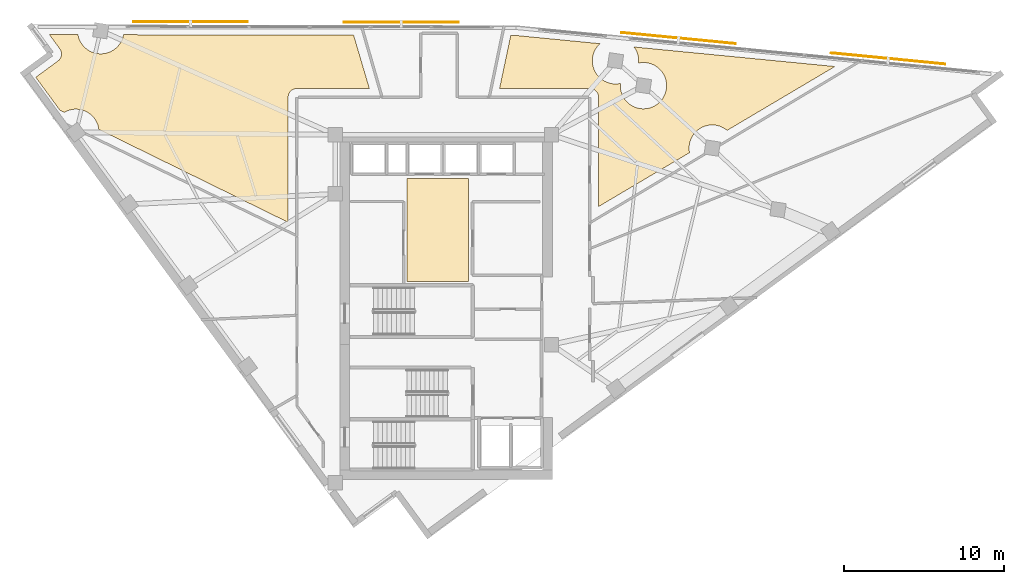
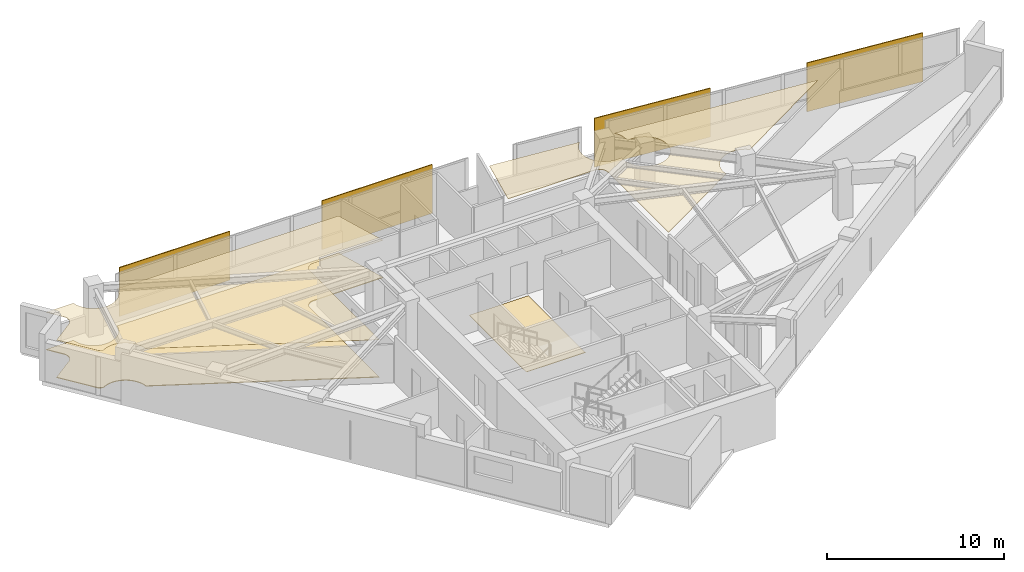
# One storey, part 13 of 13: 4 coverings, 4 shading devices.
"""IFC4 building model written with IfcOpenShell, lengths in metres."""

from ifc_helpers import new_model, si_unit, direction, frame, origin, origin_2d, place, context, subcontext, project, spatial, polyline, rectangle, outline, extrude, material, layer, layer_set, type_object, element, save


model = new_model("IFC4")

# Units and contexts
model_context = context("Model", 3, precision=1e-05, world=origin(), true_north=direction((0.0, 1.0)))
body_context = subcontext(model_context, "Body", "Model", "MODEL_VIEW")
ifc_project = project(units=[si_unit("LENGTHUNIT", "METRE"), si_unit("AREAUNIT", "SQUARE_METRE"), si_unit("VOLUMEUNIT", "CUBIC_METRE"), si_unit("PLANEANGLEUNIT", "RADIAN"), si_unit("MASSUNIT", "GRAM", prefix="KILO")], contexts=[model_context])

# Site, building, storey
site_placement = place(None, origin())
site = spatial("IfcSite", under=ifc_project, at=site_placement, CompositionType="ELEMENT")
building_placement = place(site_placement, origin())
building = spatial("IfcBuilding", under=site, at=building_placement, Name="Narakoshi Arena Tower", CompositionType="ELEMENT")
storey_placement = place(building_placement, frame((0.0, 0.0, 253.699951171875)))
storey = spatial("IfcBuildingStorey", under=building, at=storey_placement, Name="L69", CompositionType="ELEMENT", Elevation=253.699951171875)

# Coverings
ifc_material_1 = material(Name="Acoustic mineral-fibre ceiling tile")
ifc_layer_1 = layer(ifc_material_1, 0.02001953125)
ifc_layer_set_1 = layer_set([ifc_layer_1], Name="Acoustic mineral-fibre ceiling tile")
covering_type_1 = type_object("IfcCoveringType", Name="COV-CLG-AC20", PredefinedType="CEILING", material=ifc_layer_set_1)
covering_1_placement = place(storey_placement, frame((0.0, 0.0, 2.590087890625)))
element("IfcCovering", 1, at=covering_1_placement, inside=storey, type_object=covering_type_1, Name="L69 Suspended Acoustic Ceiling 1", PredefinedType="CEILING", context=body_context, shape_type="SweptSolid", body=[
    extrude(outline(polyline([(55.8818359375, 62.773193359375), (55.88720703125, 62.73779296875), (55.921630859375, 62.599609375), (55.969482421875, 62.4658203125), (56.030517578125, 62.337158203125), (56.103515625, 62.215087890625), (56.188232421875, 62.1005859375), (56.283935546875, 61.995361328125), (56.389404296875, 61.899658203125), (56.503662109375, 61.81494140625), (56.625732421875, 61.74169921875), (56.75439453125, 61.680908203125), (56.88818359375, 61.633056640625), (57.0263671875, 61.598388671875), (57.1669921875, 61.57763671875), (57.30908203125, 61.570556640625), (57.451416015625, 61.57763671875), (57.592041015625, 61.598388671875), (57.72998046875, 61.633056640625), (57.864013671875, 61.680908203125), (57.99267578125, 61.74169921875), (58.11474609375, 61.81494140625), (58.22900390625, 61.899658203125), (58.33447265625, 61.995361328125), (58.43017578125, 62.1005859375), (58.514892578125, 62.215087890625), (58.587890625, 62.337158203125), (58.648681640625, 62.4658203125), (58.69677734375, 62.599609375), (58.731201171875, 62.73779296875), (58.73583984375, 62.76806640625), (73.152587890625, 62.74169921875), (74.139404296875, 59.39990234375), (69.60009765625, 59.39990234375), (69.546142578125, 59.3974609375), (69.49267578125, 59.389404296875), (69.440185546875, 59.376220703125), (69.389404296875, 59.358154296875), (69.3408203125, 59.335205078125), (69.29443359375, 59.307373046875), (69.251220703125, 59.275146484375), (69.211181640625, 59.239013671875), (69.1748046875, 59.198974609375), (69.142578125, 59.155517578125), (69.114990234375, 59.109375), (69.091796875, 59.060546875), (69.07373046875, 59.009765625), (69.060546875, 58.957275390625), (69.052490234375, 58.90380859375), (69.050048828125, 58.85009765625), (69.050048828125, 51.01318359375), (57.1904296875, 56.8359375), (57.17529296875, 56.937255859375), (57.140869140625, 57.0751953125), (57.093017578125, 57.209228515625), (57.031982421875, 57.337890625), (56.958984375, 57.4599609375), (56.874267578125, 57.57421875), (56.778564453125, 57.6796875), (56.673095703125, 57.775390625), (56.558837890625, 57.860107421875), (56.436767578125, 57.93310546875), (56.30810546875, 57.993896484375), (56.17431640625, 58.0419921875), (56.0361328125, 58.076416015625), (55.8955078125, 58.097412109375), (55.75341796875, 58.1044921875), (55.611083984375, 58.097412109375), (55.470458984375, 58.076416015625), (55.33251953125, 58.0419921875), (55.198486328125, 57.993896484375), (55.06982421875, 57.93310546875), (55.018310546875, 57.90234375), (54.75634765625, 58.031005859375), (53.23779296875, 60.102294921875), (54.62353515625, 61.118408203125), (54.66552734375, 61.152587890625), (54.703857421875, 61.1904296875), (54.73828125, 61.23193359375), (54.7685546875, 61.276611328125), (54.794189453125, 61.32421875), (54.815185546875, 61.373779296875), (54.831298828125, 61.425537109375), (54.842041015625, 61.478271484375), (54.84765625, 61.531982421875), (54.847900390625, 61.5859375), (54.843017578125, 61.6396484375), (54.83251953125, 61.692626953125), (54.8173828125, 61.744384765625), (54.796875, 61.79443359375), (54.771728515625, 61.84228515625), (54.741943359375, 61.88720703125), (54.08984375, 62.7763671875), (55.8818359375, 62.773193359375)])), origin(), (0.0, 0.0, 1.0), 0.02001953125),
])
ifc_material_2 = material(Name="Slatted oak acoustic timber baffle", Category="wood")
ifc_layer_2 = layer(ifc_material_2, 0.034912109375)
ifc_layer_set_2 = layer_set([ifc_layer_2], Name="Slatted oak acoustic timber baffle")
covering_type_2 = type_object("IfcCoveringType", Name="COV-CLG-WD35", PredefinedType="CEILING", material=ifc_layer_set_2)
covering_2_placement = place(storey_placement, frame((0.0, 0.0, 2.574951171875)))
element("IfcCovering", 2, at=covering_2_placement, inside=storey, type_object=covering_type_2, Name="L69 Suspended Acoustic Ceiling 2", PredefinedType="CEILING", context=body_context, shape_type="SweptSolid", body=[
    extrude(outline(polyline([(88.590087890625, 62.208740234375), (88.536376953125, 62.159912109375), (88.440673828125, 62.0546875), (88.35595703125, 61.940185546875), (88.28271484375, 61.818115234375), (88.221923828125, 61.689697265625), (88.174072265625, 61.5556640625), (88.139404296875, 61.41748046875), (88.11865234375, 61.27685546875), (88.111572265625, 61.134765625), (88.11865234375, 60.99267578125), (88.139404296875, 60.851806640625), (88.174072265625, 60.7138671875), (88.221923828125, 60.579833984375), (88.28271484375, 60.451171875), (88.35595703125, 60.3291015625), (88.440673828125, 60.21484375), (88.536376953125, 60.109375), (88.6416015625, 60.013916015625), (88.756103515625, 59.92919921875), (88.878173828125, 59.85595703125), (89.006591796875, 59.795166015625), (89.140625, 59.7470703125), (89.27880859375, 59.712646484375), (89.41943359375, 59.691650390625), (89.5615234375, 59.684814453125), (89.70361328125, 59.691650390625), (89.844482421875, 59.712646484375), (89.868408203125, 59.718505859375), (89.868408203125, 59.718505859375), (89.861328125, 59.576416015625), (89.868408203125, 59.43408203125), (89.88916015625, 59.29345703125), (89.923583984375, 59.155517578125), (89.9716796875, 59.021484375), (90.032470703125, 58.892822265625), (90.105712890625, 58.770751953125), (90.1904296875, 58.656494140625), (90.285888671875, 58.551025390625), (90.391357421875, 58.455322265625), (90.505615234375, 58.37060546875), (90.627685546875, 58.297607421875), (90.75634765625, 58.23681640625), (90.890380859375, 58.188720703125), (91.0283203125, 58.154296875), (91.169189453125, 58.13330078125), (91.311279296875, 58.126220703125), (91.453369140625, 58.13330078125), (91.59423828125, 58.154296875), (91.732177734375, 58.188720703125), (91.8662109375, 58.23681640625), (91.994873046875, 58.297607421875), (92.116943359375, 58.37060546875), (92.231201171875, 58.455322265625), (92.336669921875, 58.551025390625), (92.43212890625, 58.656494140625), (92.516845703125, 58.770751953125), (92.590087890625, 58.892822265625), (92.65087890625, 59.021484375), (92.698974609375, 59.155517578125), (92.7333984375, 59.29345703125), (92.75439453125, 59.43408203125), (92.76123046875, 59.576416015625), (92.75439453125, 59.718505859375), (92.7333984375, 59.859130859375), (92.698974609375, 59.997314453125), (92.65087890625, 60.131103515625), (92.590087890625, 60.259765625), (92.516845703125, 60.3818359375), (92.43212890625, 60.49609375), (92.336669921875, 60.6015625), (92.231201171875, 60.697265625), (92.116943359375, 60.781982421875), (91.994873046875, 60.85498046875), (91.8662109375, 60.916015625), (91.732177734375, 60.9638671875), (91.59423828125, 60.998291015625), (91.453369140625, 61.019287109375), (91.311279296875, 61.0263671875), (91.169189453125, 61.019287109375), (91.0283203125, 60.998291015625), (91.004638671875, 60.992431640625), (91.004638671875, 60.99267578125), (91.01171875, 61.134765625), (91.004638671875, 61.27685546875), (90.983642578125, 61.41748046875), (90.94921875, 61.5556640625), (90.901123046875, 61.689697265625), (90.84033203125, 61.818115234375), (90.76708984375, 61.940185546875), (90.721923828125, 62.001220703125), (103.30859375, 60.776611328125), (96.55322265625, 56.7734375), (96.539306640625, 56.7861328125), (96.425048828125, 56.870849609375), (96.302978515625, 56.944091796875), (96.17431640625, 57.0048828125), (96.040283203125, 57.052734375), (95.90234375, 57.08740234375), (95.76171875, 57.108154296875), (95.619384765625, 57.115234375), (95.477294921875, 57.108154296875), (95.336669921875, 57.08740234375), (95.198486328125, 57.052734375), (95.064697265625, 57.0048828125), (94.93603515625, 56.944091796875), (94.81396484375, 56.870849609375), (94.69970703125, 56.7861328125), (94.59423828125, 56.6904296875), (94.49853515625, 56.585205078125), (94.413818359375, 56.470703125), (94.3408203125, 56.3486328125), (94.27978515625, 56.22021484375), (94.23193359375, 56.086181640625), (94.197509765625, 55.947998046875), (94.176513671875, 55.807373046875), (94.16943359375, 55.665283203125), (94.176513671875, 55.523193359375), (94.197509765625, 55.38232421875), (94.198486328125, 55.3779296875), (88.5, 52.001220703125), (88.5, 58.85009765625), (88.497314453125, 58.90380859375), (88.489501953125, 58.957275390625), (88.476318359375, 59.009765625), (88.4580078125, 59.060546875), (88.43505859375, 59.109375), (88.4072265625, 59.155517578125), (88.375244140625, 59.198974609375), (88.3388671875, 59.239013671875), (88.298828125, 59.275146484375), (88.255615234375, 59.307373046875), (88.209228515625, 59.335205078125), (88.160400390625, 59.358154296875), (88.109619140625, 59.376220703125), (88.057373046875, 59.389404296875), (88.00390625, 59.3974609375), (87.949951171875, 59.39990234375), (82.295166015625, 59.39990234375), (82.99853515625, 62.723876953125), (83.30126953125, 62.723388671875), (88.590087890625, 62.208740234375)])), origin(), (0.0, 0.0, 1.0), 0.03515625),
])
ifc_material_3 = material(Name="Raised steel access floor panel", Category="steel")
ifc_layer_3 = layer(ifc_material_3, 0.044921875)
ifc_layer_set_3 = layer_set([ifc_layer_3], Name="Raised steel access floor panel")
covering_type_3 = type_object("IfcCoveringType", Name="COV-FLR-RF45", PredefinedType="FLOORING", material=ifc_layer_set_3)
covering_3_placement = place(storey_placement, origin())
element("IfcCovering", 3, at=covering_3_placement, inside=storey, type_object=covering_type_3, Name="L69 Raised Steel Access Floor", PredefinedType="FLOORING", context=body_context, shape_type="SweptSolid", body=[
    extrude(outline(polyline([(55.8818359375, 62.773193359375), (55.88720703125, 62.73779296875), (55.921630859375, 62.599609375), (55.969482421875, 62.4658203125), (56.030517578125, 62.337158203125), (56.103515625, 62.215087890625), (56.188232421875, 62.1005859375), (56.283935546875, 61.995361328125), (56.389404296875, 61.899658203125), (56.503662109375, 61.81494140625), (56.625732421875, 61.74169921875), (56.75439453125, 61.680908203125), (56.88818359375, 61.633056640625), (57.0263671875, 61.598388671875), (57.1669921875, 61.57763671875), (57.30908203125, 61.570556640625), (57.451416015625, 61.57763671875), (57.592041015625, 61.598388671875), (57.72998046875, 61.633056640625), (57.864013671875, 61.680908203125), (57.99267578125, 61.74169921875), (58.11474609375, 61.81494140625), (58.22900390625, 61.899658203125), (58.33447265625, 61.995361328125), (58.43017578125, 62.1005859375), (58.514892578125, 62.215087890625), (58.587890625, 62.337158203125), (58.648681640625, 62.4658203125), (58.69677734375, 62.599609375), (58.731201171875, 62.73779296875), (58.73583984375, 62.76806640625), (73.152587890625, 62.74169921875), (74.139404296875, 59.39990234375), (69.60009765625, 59.39990234375), (69.546142578125, 59.3974609375), (69.49267578125, 59.389404296875), (69.440185546875, 59.376220703125), (69.389404296875, 59.358154296875), (69.3408203125, 59.335205078125), (69.29443359375, 59.307373046875), (69.251220703125, 59.275146484375), (69.211181640625, 59.239013671875), (69.1748046875, 59.198974609375), (69.142578125, 59.155517578125), (69.114990234375, 59.109375), (69.091796875, 59.060546875), (69.07373046875, 59.009765625), (69.060546875, 58.957275390625), (69.052490234375, 58.90380859375), (69.050048828125, 58.85009765625), (69.050048828125, 51.01318359375), (57.1904296875, 56.8359375), (57.17529296875, 56.937255859375), (57.140869140625, 57.0751953125), (57.093017578125, 57.209228515625), (57.031982421875, 57.337890625), (56.958984375, 57.4599609375), (56.874267578125, 57.57421875), (56.778564453125, 57.6796875), (56.673095703125, 57.775390625), (56.558837890625, 57.860107421875), (56.436767578125, 57.93310546875), (56.30810546875, 57.993896484375), (56.17431640625, 58.0419921875), (56.0361328125, 58.076416015625), (55.8955078125, 58.097412109375), (55.75341796875, 58.1044921875), (55.611083984375, 58.097412109375), (55.470458984375, 58.076416015625), (55.33251953125, 58.0419921875), (55.198486328125, 57.993896484375), (55.06982421875, 57.93310546875), (55.018310546875, 57.90234375), (54.75634765625, 58.031005859375), (53.23779296875, 60.102294921875), (54.62353515625, 61.118408203125), (54.66552734375, 61.152587890625), (54.703857421875, 61.1904296875), (54.73828125, 61.23193359375), (54.7685546875, 61.276611328125), (54.794189453125, 61.32421875), (54.815185546875, 61.373779296875), (54.831298828125, 61.425537109375), (54.842041015625, 61.478271484375), (54.84765625, 61.531982421875), (54.847900390625, 61.5859375), (54.843017578125, 61.6396484375), (54.83251953125, 61.692626953125), (54.8173828125, 61.744384765625), (54.796875, 61.79443359375), (54.771728515625, 61.84228515625), (54.741943359375, 61.88720703125), (54.08984375, 62.7763671875), (55.8818359375, 62.773193359375)])), origin(), (0.0, 0.0, 1.0), 0.045166015625),
])
ifc_material_4 = material(Name="Honed granite stone paving", Category="masonry")
ifc_layer_4 = layer(ifc_material_4, 0.030029296875)
ifc_layer_set_4 = layer_set([ifc_layer_4], Name="Honed granite stone paving")
covering_type_4 = type_object("IfcCoveringType", Name="COV-FLR-ST30", PredefinedType="FLOORING", material=ifc_layer_set_4)
covering_4_placement = place(storey_placement, origin())
element("IfcCovering", 4, at=covering_4_placement, inside=storey, type_object=covering_type_4, Name="L69 Lift Lobby Granite Flooring", PredefinedType="FLOORING", context=body_context, shape_type="SweptSolid", body=[
    extrude(outline(polyline([(76.5, 47.300048828125), (80.35009765625, 47.300048828125), (80.35009765625, 53.75), (76.5, 53.75), (76.5, 47.300048828125)])), origin(), (0.0, 0.0, 1.0), 0.030029296875),
])

# Shading devices
ifc_material_5 = material(Name="Perforated bronze ceramic-metal composite")
ifc_layer_5 = layer(ifc_material_5, 0.06005859375)
ifc_layer_set_5 = layer_set([ifc_layer_5], Name="Perforated bronze ceramic-metal composite")
shading_device_type = type_object("IfcShadingDeviceType", Name="SHD-SCR-BRZ2", PredefinedType="USERDEFINED", material=ifc_layer_set_5)
for number, where, z_axis, x_axis, name in (
    (5, (106.64697265625, 61.275390625, 0.0), (0.0, 0.0, 1.0), (-0.995298664587, 0.096853333819, 0.0), "L69 Perforated Bronze Solar Screen 1-1"),
    (6, (93.509033203125, 62.553955078125, 0.0), (0.0, 0.0, 1.0), (-0.995298664587, 0.096853333819, 0.0), "L69 Perforated Bronze Solar Screen 1-2"),
    (7, (76.1328125, 63.556396484375, 0.0), (0.0, 0.0, 1.0), (-0.999998352629, 0.001815141425, 0.0), "L69 Perforated Bronze Solar Screen 2-1"),
    (8, (62.932861328125, 63.580322265625, 0.0), (0.0, 0.0, 1.0), (-0.999998352629, 0.001815141425, 0.0), "L69 Perforated Bronze Solar Screen 2-2"),
):
    element("IfcShadingDevice", number, at=place(storey_placement, frame(where, z_axis=z_axis, x_axis=x_axis)), inside=storey, type_object=shading_device_type, Name=name, ObjectType="SOLAR SCREEN", PredefinedType="USERDEFINED", context=body_context, shape_type="SweptSolid", body=[
        extrude(rectangle(XDim=7.199951171875, YDim=0.06005859375, at=origin_2d()), origin(), (0.0, 0.0, 1.0), 3.3701171875),
    ])

save(model, "model.ifc")
